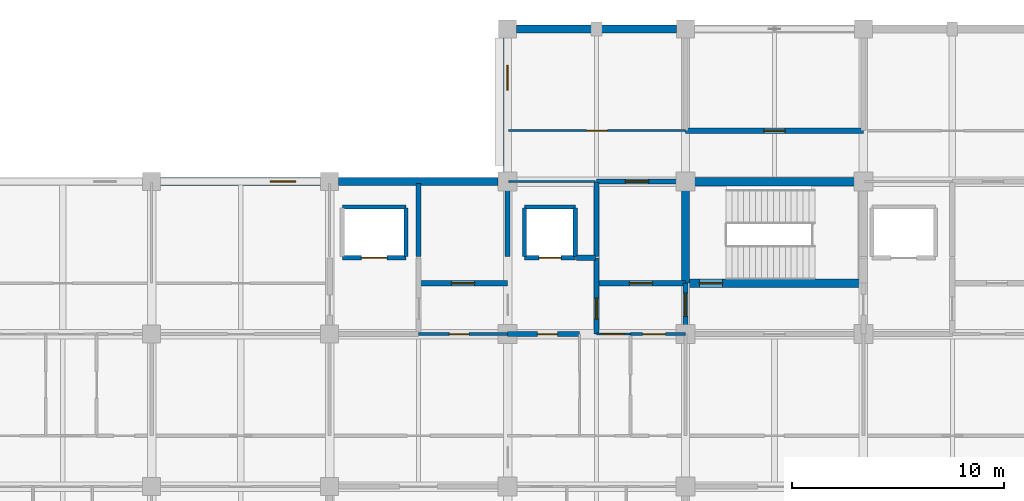
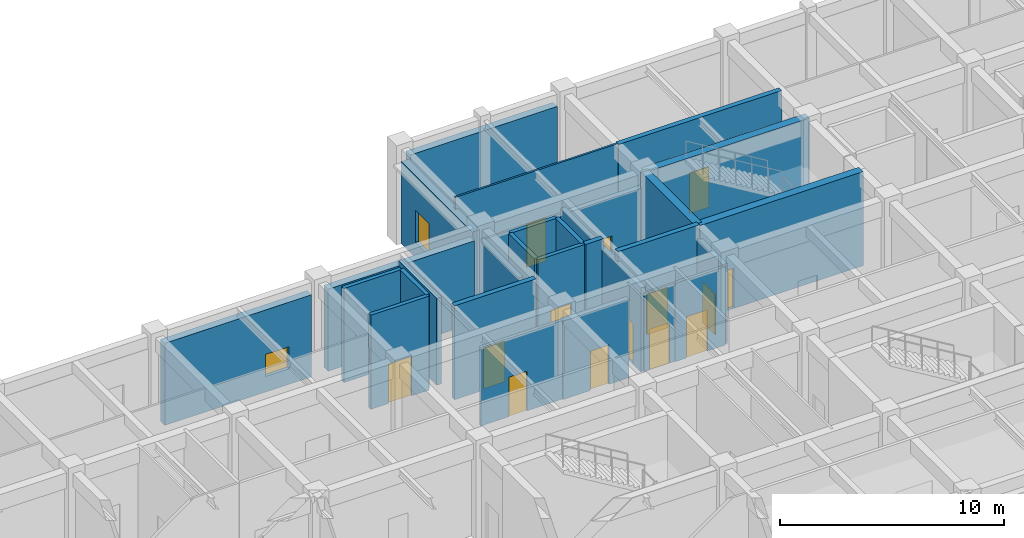
# One storey, part 41 of 58: 30 walls, 14 doors, 2 windows, 16 openings.
"""IFC4 building model written with IfcOpenShell, lengths in metres."""

from ifc_helpers import new_model, si_unit, direction, frame, frame_2d, origin, place, context, subcontext, project, spatial, rectangle, extrude, material, layer, layer_set, type_object, element, fill, save


model = new_model("IFC4")

# Units and contexts
model_context = context("Model", 3, precision=1e-05, world=origin(), true_north=direction((0.0, 1.0)))
body_context = subcontext(model_context, "Body", "Model", "MODEL_VIEW")
ifc_project = project(units=[si_unit("LENGTHUNIT", "METRE"), si_unit("AREAUNIT", "SQUARE_METRE"), si_unit("VOLUMEUNIT", "CUBIC_METRE"), si_unit("PLANEANGLEUNIT", "RADIAN"), si_unit("MASSUNIT", "GRAM", prefix="KILO")], contexts=[model_context])

# Site, building, storey
site_placement = place(None, origin())
site = spatial("IfcSite", under=ifc_project, at=site_placement, CompositionType="ELEMENT")
building_placement = place(site_placement, origin())
building = spatial("IfcBuilding", under=site, at=building_placement, Name="Chengyuan Square Courthouse", CompositionType="ELEMENT")
storey_placement = place(building_placement, frame((0.0, 0.0, 16.199951171875)))
storey = spatial("IfcBuildingStorey", under=building, at=storey_placement, Name="L04", CompositionType="ELEMENT", Elevation=16.199951171875)

# Wall, opening, window
ifc_material_1 = material(Name="Concrete C40", Category="concrete")
ifc_layer_1 = layer(ifc_material_1, 0.3798828125)
ifc_layer_set_1 = layer_set([ifc_layer_1], Name="Concrete C40")
wall_type_1 = type_object("IfcWallType", Name="WL-EW1", PredefinedType="STANDARD", material=ifc_layer_set_1)
wall_1_placement = place(storey_placement, frame((34.02001953125, 108.0, 0.0), z_axis=(0.0, 0.0, 1.0), x_axis=(1.0, 0.0, 0.0)))
wall_1 = element("IfcWall", 1, at=wall_1_placement, inside=storey, type_object=wall_type_1, Name="Exterior Wall WL-L04-E312", PredefinedType="STANDARD", context=body_context, shape_type="SweptSolid", body=[
    extrude(rectangle(XDim=7.56005859375, YDim=0.3798828125, at=frame_2d((3.780029296875, 0.0))), origin(), (0.0, 0.0, 1.0), 4.469970703125),
])
opening_1_placement = place(wall_1_placement, frame((5.179931640625, 0.0, 0.85009765625)))
opening_1 = element("IfcOpeningElement", 2, at=opening_1_placement, cuts=wall_1, Name="Opening WN-096", PredefinedType="OPENING", context=body_context, shape_type="SweptSolid", body=[
    extrude(rectangle(XDim=1.199951171875, YDim=1.199951171875, at=frame_2d((0.60009765625, 0.60009765625))), frame((0.0, 0.201904296875, 0.0), z_axis=(0.0, -1.0, 0.0), x_axis=(1.0, 0.0, 0.0)), (0.0, 0.0, 1.0), 0.40380859375),
])
ifc_material_2 = material(Name="Thermally Broken Aluminium Triple Low-E Window", Category="aluminium")
window_type_1 = type_object("IfcWindowType", Name="WT-13", PartitioningType="SINGLE_PANEL", PredefinedType="WINDOW", material=ifc_material_2)
window_1_placement = place(opening_1_placement, origin())
window_1 = element("IfcWindow", 3, at=window_1_placement, inside=storey, type_object=window_type_1, Name="Facade Window WN-096", OverallHeight=1.199951171875, OverallWidth=1.199951171875, PartitioningType="SINGLE_PANEL", PredefinedType="WINDOW", context=body_context, shape_type="SweptSolid", body=[
    extrude(rectangle(XDim=1.199951171875, YDim=1.199951171875, at=frame_2d((0.60009765625, 0.60009765625))), frame((0.0, 0.030029296875, 0.0), z_axis=(0.0, -1.0, 0.0), x_axis=(1.0, 0.0, 0.0)), (0.0, 0.0, 1.0), 0.06005859375),
])
fill(opening_1, window_1)

# Walls
wall_2_placement = place(storey_placement, frame((42.419921875, 108.0, 0.0), z_axis=(0.0, 0.0, 1.0), x_axis=(1.0, 0.0, 0.0)))
element("IfcWall", 4, at=wall_2_placement, inside=storey, type_object=wall_type_1, Name="Exterior Wall WL-L04-E313", PredefinedType="STANDARD", context=body_context, shape_type="SweptSolid", body=[
    extrude(rectangle(XDim=7.53515625, YDim=0.3798828125, at=frame_2d((3.767578125, 0.0))), origin(), (0.0, 0.0, 1.0), 4.469970703125),
])
wall_3_placement = place(storey_placement, frame((50.820068359375, 115.199951171875, 0.0), z_axis=(0.0, 0.0, 1.0), x_axis=(1.0, 0.0, 0.0)))
element("IfcWall", 5, at=wall_3_placement, inside=storey, type_object=wall_type_1, Name="Exterior Wall WL-L04-E314", PredefinedType="STANDARD", context=body_context, shape_type="SweptSolid", body=[
    extrude(rectangle(XDim=7.559814453125, YDim=0.3798828125, at=frame_2d((3.77978515625, 0.0))), origin(), (0.0, 0.0, 1.0), 4.469970703125),
])

# Wall, opening, window
wall_4_placement = place(storey_placement, frame((50.39990234375, 108.445068359375, 0.0), z_axis=(0.0, 0.0, 1.0), x_axis=(0.0, 1.0, 0.0)))
wall_4 = element("IfcWall", 6, at=wall_4_placement, inside=storey, type_object=wall_type_1, Name="Exterior Wall WL-L04-E315", PredefinedType="STANDARD", context=body_context, shape_type="SweptSolid", body=[
    extrude(rectangle(XDim=6.3349609375, YDim=0.3798828125, at=frame_2d((3.16748046875, 0.0))), origin(), (0.0, 0.0, 1.0), 4.469970703125),
])
opening_2_placement = place(wall_4_placement, frame((3.85498046875, 0.0, 0.85009765625)))
opening_2 = element("IfcOpeningElement", 7, at=opening_2_placement, cuts=wall_4, Name="Opening WN-097", PredefinedType="OPENING", context=body_context, shape_type="SweptSolid", body=[
    extrude(rectangle(XDim=1.199951171875, YDim=1.739990234375, at=frame_2d((0.60009765625, 0.8701171875))), frame((0.0, 0.201904296875, 0.0), z_axis=(0.0, -1.0, 0.0), x_axis=(1.0, 0.0, 0.0)), (0.0, 0.0, 1.0), 0.40380859375),
])
window_type_2 = type_object("IfcWindowType", Name="WT-16", PartitioningType="SINGLE_PANEL", PredefinedType="WINDOW", material=ifc_material_2)
window_2_placement = place(opening_2_placement, origin())
window_2 = element("IfcWindow", 8, at=window_2_placement, inside=storey, type_object=window_type_2, Name="Facade Window WN-097", OverallHeight=1.739990234375, OverallWidth=1.199951171875, PartitioningType="SINGLE_PANEL", PredefinedType="WINDOW", context=body_context, shape_type="SweptSolid", body=[
    extrude(rectangle(XDim=1.199951171875, YDim=1.739990234375, at=frame_2d((0.60009765625, 0.8701171875))), frame((0.0, 0.030029296875, 0.0), z_axis=(0.0, -1.0, 0.0), x_axis=(1.0, 0.0, 0.0)), (0.0, 0.0, 1.0), 0.06005859375),
])
fill(opening_2, window_2)

# Wall, opening, door
ifc_layer_2 = layer(ifc_material_1, 0.25)
ifc_layer_set_2 = layer_set([ifc_layer_2], Name="Concrete C40")
wall_type_2 = type_object("IfcWallType", Name="WL-FW1", PredefinedType="STANDARD", material=ifc_layer_set_2)
wall_5_placement = place(storey_placement, frame((50.39990234375, 100.800048828125, 0.0), z_axis=(0.0, 0.0, 1.0), x_axis=(1.0, 0.0, 0.0)))
wall_5 = element("IfcWall", 9, at=wall_5_placement, inside=storey, type_object=wall_type_2, Name="Interior Wall WL-L04-I1842", PredefinedType="STANDARD", context=body_context, shape_type="SweptSolid", body=[
    extrude(rectangle(XDim=3.400146484375, YDim=0.25, at=frame_2d((1.7001953125, 0.0))), origin(), (0.0, 0.0, 1.0), 4.27001953125),
])
opening_3_placement = place(wall_5_placement, frame((1.409912109375, 0.0, 0.0)))
opening_3 = element("IfcOpeningElement", 10, at=opening_3_placement, cuts=wall_5, Name="Opening DR-1699", PredefinedType="OPENING", context=body_context, shape_type="SweptSolid", body=[
    extrude(rectangle(XDim=0.949951171875, YDim=2.14990234375, at=frame_2d((0.47509765625, 1.074951171875))), frame((0.0, 0.136962890625, 0.0), z_axis=(0.0, -1.0, 0.0), x_axis=(1.0, 0.0, 0.0)), (0.0, 0.0, 1.0), 0.27392578125),
])
ifc_material_3 = material(Name="Steel Q235B Fire Door", Category="steel")
door_type_1 = type_object("IfcDoorType", Name="DT-12", OperationType="NOTDEFINED", PredefinedType="DOOR", material=ifc_material_3)
door_1_placement = place(opening_3_placement, origin())
door_1 = element("IfcDoor", 11, at=door_1_placement, inside=storey, type_object=door_type_1, Name="Interior Door DR-1699", OperationType="SINGLE_SWING_RIGHT", OverallHeight=2.14990234375, OverallWidth=0.949951171875, PredefinedType="DOOR", context=body_context, shape_type="SweptSolid", body=[
    extrude(rectangle(XDim=0.949951171875, YDim=2.14990234375, at=frame_2d((0.47509765625, 1.074951171875))), frame((0.0, 0.02490234375, 0.0), z_axis=(0.0, -1.0, 0.0), x_axis=(1.0, 0.0, 0.0)), (0.0, 0.0, 1.0), 0.050048828125),
])
fill(opening_3, door_1)

wall_6_placement = place(storey_placement, frame((46.199951171875, 103.199951171875, 0.0), z_axis=(0.0, 0.0, 1.0), x_axis=(1.0, 0.0, 0.0)))
wall_6 = element("IfcWall", 12, at=wall_6_placement, inside=storey, type_object=wall_type_2, Name="Interior Wall WL-L04-I1860", PredefinedType="STANDARD", context=body_context, shape_type="SweptSolid", body=[
    extrude(rectangle(XDim=4.199951171875, YDim=0.25, at=frame_2d((2.10009765625, 0.0))), origin(), (0.0, 0.0, 1.0), 5.1201171875),
])
opening_4_placement = place(wall_6_placement, frame((1.550048828125, 0.0, 0.0)))
opening_4 = element("IfcOpeningElement", 13, at=opening_4_placement, cuts=wall_6, Name="Opening DR-1679", PredefinedType="OPENING", context=body_context, shape_type="SweptSolid", body=[
    extrude(rectangle(XDim=1.10009765625, YDim=2.199951171875, at=frame_2d((0.550048828125, 1.10009765625))), frame((0.0, 0.136962890625, 0.0), z_axis=(0.0, -1.0, 0.0), x_axis=(1.0, 0.0, 0.0)), (0.0, 0.0, 1.0), 0.27392578125),
])
door_type_2 = type_object("IfcDoorType", Name="DT-10", OperationType="NOTDEFINED", PredefinedType="DOOR", material=ifc_material_3)
door_2_placement = place(opening_4_placement, origin())
door_2 = element("IfcDoor", 14, at=door_2_placement, inside=storey, type_object=door_type_2, Name="Interior Door DR-1679", OperationType="SINGLE_SWING_LEFT", OverallHeight=2.199951171875, OverallWidth=1.10009765625, PredefinedType="DOOR", context=body_context, shape_type="SweptSolid", body=[
    extrude(rectangle(XDim=1.10009765625, YDim=2.199951171875, at=frame_2d((0.550048828125, 1.10009765625))), frame((0.0, 0.02490234375, 0.0), z_axis=(0.0, -1.0, 0.0), x_axis=(1.0, 0.0, 0.0)), (0.0, 0.0, 1.0), 0.050048828125),
])
fill(opening_4, door_2)

wall_7_placement = place(storey_placement, frame((54.60009765625, 103.199951171875, 0.0), z_axis=(0.0, 0.0, 1.0), x_axis=(1.0, 0.0, 0.0)))
wall_7 = element("IfcWall", 15, at=wall_7_placement, inside=storey, type_object=wall_type_2, Name="Interior Wall WL-L04-I1861", PredefinedType="STANDARD", context=body_context, shape_type="SweptSolid", body=[
    extrude(rectangle(XDim=4.199951171875, YDim=0.25, at=frame_2d((2.10009765625, 0.0))), origin(), (0.0, 0.0, 1.0), 5.1201171875),
])
opening_5_placement = place(wall_7_placement, frame((1.550048828125, 0.0, 0.0)))
opening_5 = element("IfcOpeningElement", 16, at=opening_5_placement, cuts=wall_7, Name="Opening DR-1700", PredefinedType="OPENING", context=body_context, shape_type="SweptSolid", body=[
    extrude(rectangle(XDim=1.10009765625, YDim=2.199951171875, at=frame_2d((0.550048828125, 1.10009765625))), frame((0.0, 0.136962890625, 0.0), z_axis=(0.0, -1.0, 0.0), x_axis=(1.0, 0.0, 0.0)), (0.0, 0.0, 1.0), 0.27392578125),
])
door_3_placement = place(opening_5_placement, origin())
door_3 = element("IfcDoor", 17, at=door_3_placement, inside=storey, type_object=door_type_2, Name="Interior Door DR-1700", OperationType="SINGLE_SWING_LEFT", OverallHeight=2.199951171875, OverallWidth=1.10009765625, PredefinedType="DOOR", context=body_context, shape_type="SweptSolid", body=[
    extrude(rectangle(XDim=1.10009765625, YDim=2.199951171875, at=frame_2d((0.550048828125, 1.10009765625))), frame((0.0, 0.02490234375, 0.0), z_axis=(0.0, -1.0, 0.0), x_axis=(1.0, 0.0, 0.0)), (0.0, 0.0, 1.0), 0.050048828125),
])
fill(opening_5, door_3)

# Wall
wall_8_placement = place(storey_placement, frame((53.64990234375, 104.39990234375, 0.0), z_axis=(0.0, 0.0, 1.0), x_axis=(1.0, 0.0, 0.0)))
element("IfcWall", 18, at=wall_8_placement, inside=storey, type_object=wall_type_2, Name="Interior Wall WL-L04-I1871", PredefinedType="STANDARD", context=body_context, shape_type="SweptSolid", body=[
    extrude(rectangle(XDim=0.900146484375, YDim=0.25, at=frame_2d((0.4501953125, 0.0))), origin(), (0.0, 0.0, 1.0), 5.1201171875),
])

# Wall, opening, door
wall_9_placement = place(storey_placement, frame((54.60009765625, 108.0, 0.0), z_axis=(0.0, 0.0, 1.0), x_axis=(1.0, 0.0, 0.0)))
wall_9 = element("IfcWall", 19, at=wall_9_placement, inside=storey, type_object=wall_type_2, Name="Interior Wall WL-L04-I1893", PredefinedType="STANDARD", context=body_context, shape_type="SweptSolid", body=[
    extrude(rectangle(XDim=4.199951171875, YDim=0.25, at=frame_2d((2.10009765625, 0.0))), origin(), (0.0, 0.0, 1.0), 4.27001953125),
])
opening_6_placement = place(wall_9_placement, frame((1.364990234375, 0.0, 0.0)))
opening_6 = element("IfcOpeningElement", 20, at=opening_6_placement, cuts=wall_9, Name="Opening DR-1703", PredefinedType="OPENING", context=body_context, shape_type="SweptSolid", body=[
    extrude(rectangle(XDim=1.10009765625, YDim=2.199951171875, at=frame_2d((0.550048828125, 1.10009765625))), frame((0.0, 0.136962890625, 0.0), z_axis=(0.0, -1.0, 0.0), x_axis=(1.0, 0.0, 0.0)), (0.0, 0.0, 1.0), 0.27392578125),
])
door_4_placement = place(opening_6_placement, origin())
door_4 = element("IfcDoor", 21, at=door_4_placement, inside=storey, type_object=door_type_2, Name="Interior Door DR-1703", OperationType="SINGLE_SWING_RIGHT", OverallHeight=2.199951171875, OverallWidth=1.10009765625, PredefinedType="DOOR", context=body_context, shape_type="SweptSolid", body=[
    extrude(rectangle(XDim=1.10009765625, YDim=2.199951171875, at=frame_2d((0.550048828125, 1.10009765625))), frame((0.0, 0.02490234375, 0.0), z_axis=(0.0, -1.0, 0.0), x_axis=(1.0, 0.0, 0.0)), (0.0, 0.0, 1.0), 0.050048828125),
])
fill(opening_6, door_4)

wall_10_placement = place(storey_placement, frame((58.800048828125, 110.39990234375, 0.0), z_axis=(0.0, 0.0, 1.0), x_axis=(1.0, 0.0, 0.0)))
wall_10 = element("IfcWall", 22, at=wall_10_placement, inside=storey, type_object=wall_type_2, Name="Interior Wall WL-L04-I1906", PredefinedType="STANDARD", context=body_context, shape_type="SweptSolid", body=[
    extrude(rectangle(XDim=8.39990234375, YDim=0.25, at=frame_2d((4.199951171875, 0.0))), origin(), (0.0, 0.0, 1.0), 5.1201171875),
])
opening_7_placement = place(wall_10_placement, frame((3.699951171875, 0.0, 0.0)))
opening_7 = element("IfcOpeningElement", 23, at=opening_7_placement, cuts=wall_10, Name="Opening DR-1863", PredefinedType="OPENING", context=body_context, shape_type="SweptSolid", body=[
    extrude(rectangle(XDim=1.0, YDim=2.199951171875, at=frame_2d((0.5, 1.10009765625))), frame((0.0, 0.136962890625, 0.0), z_axis=(0.0, -1.0, 0.0), x_axis=(1.0, 0.0, 0.0)), (0.0, 0.0, 1.0), 0.27392578125),
])
door_type_3 = type_object("IfcDoorType", Name="DT-11", OperationType="NOTDEFINED", PredefinedType="DOOR", material=ifc_material_3)
door_5_placement = place(opening_7_placement, origin())
door_5 = element("IfcDoor", 24, at=door_5_placement, inside=storey, type_object=door_type_3, Name="Interior Door DR-1863", OperationType="SINGLE_SWING_RIGHT", OverallHeight=2.199951171875, OverallWidth=1.0, PredefinedType="DOOR", context=body_context, shape_type="SweptSolid", body=[
    extrude(rectangle(XDim=1.0, YDim=2.199951171875, at=frame_2d((0.5, 1.10009765625))), frame((0.0, 0.02490234375, 0.0), z_axis=(0.0, -1.0, 0.0), x_axis=(1.0, 0.0, 0.0)), (0.0, 0.0, 1.0), 0.050048828125),
])
fill(opening_7, door_5)

# Walls
wall_11_placement = place(storey_placement, frame((46.199951171875, 104.449951171875, 0.0), z_axis=(0.0, 0.0, 1.0), x_axis=(0.0, 1.0, 0.0)))
element("IfcWall", 25, at=wall_11_placement, inside=storey, type_object=wall_type_2, Name="Interior Wall WL-L04-I1954", PredefinedType="STANDARD", context=body_context, shape_type="SweptSolid", body=[
    extrude(rectangle(XDim=3.4599609375, YDim=0.25, at=frame_2d((1.72998046875, 0.0))), origin(), (0.0, 0.0, 1.0), 4.719970703125),
])
wall_12_placement = place(storey_placement, frame((50.39990234375, 104.449951171875, 0.0), z_axis=(0.0, 0.0, 1.0), x_axis=(0.0, 1.0, 0.0)))
element("IfcWall", 26, at=wall_12_placement, inside=storey, type_object=wall_type_2, Name="Interior Wall WL-L04-I1958", PredefinedType="STANDARD", context=body_context, shape_type="SweptSolid", body=[
    extrude(rectangle(XDim=3.4599609375, YDim=0.25, at=frame_2d((1.72998046875, 0.0))), origin(), (0.0, 0.0, 1.0), 4.3701171875),
])

# Wall, opening, door
wall_13_placement = place(storey_placement, frame((54.60009765625, 100.800048828125, 0.0), z_axis=(0.0, 0.0, 1.0), x_axis=(0.0, 1.0, 0.0)))
wall_13 = element("IfcWall", 27, at=wall_13_placement, inside=storey, type_object=wall_type_2, Name="Interior Wall WL-L04-I1963", PredefinedType="STANDARD", context=body_context, shape_type="SweptSolid", body=[
    extrude(rectangle(XDim=3.599853515625, YDim=0.25, at=frame_2d((1.7998046875, 0.0))), origin(), (0.0, 0.0, 1.0), 4.570068359375),
])
opening_8_placement = place(wall_13_placement, frame((0.699951171875, 0.0, 0.0)))
opening_8 = element("IfcOpeningElement", 28, at=opening_8_placement, cuts=wall_13, Name="Opening DR-1698", PredefinedType="OPENING", context=body_context, shape_type="SweptSolid", body=[
    extrude(rectangle(XDim=1.0, YDim=2.199951171875, at=frame_2d((0.5, 1.10009765625))), frame((0.0, 0.136962890625, 0.0), z_axis=(0.0, -1.0, 0.0), x_axis=(1.0, 0.0, 0.0)), (0.0, 0.0, 1.0), 0.27392578125),
])
door_6_placement = place(opening_8_placement, origin())
door_6 = element("IfcDoor", 29, at=door_6_placement, inside=storey, type_object=door_type_3, Name="Interior Door DR-1698", OperationType="SINGLE_SWING_LEFT", OverallHeight=2.199951171875, OverallWidth=1.0, PredefinedType="DOOR", context=body_context, shape_type="SweptSolid", body=[
    extrude(rectangle(XDim=1.0, YDim=2.199951171875, at=frame_2d((0.5, 1.10009765625))), frame((0.0, 0.02490234375, 0.0), z_axis=(0.0, -1.0, 0.0), x_axis=(1.0, 0.0, 0.0)), (0.0, 0.0, 1.0), 0.050048828125),
])
fill(opening_8, door_6)

# Wall
wall_14_placement = place(storey_placement, frame((54.60009765625, 104.449951171875, 0.0), z_axis=(0.0, 0.0, 1.0), x_axis=(0.0, 1.0, 0.0)))
element("IfcWall", 30, at=wall_14_placement, inside=storey, type_object=wall_type_2, Name="Interior Wall WL-L04-I1964", PredefinedType="STANDARD", context=body_context, shape_type="SweptSolid", body=[
    extrude(rectangle(XDim=3.5, YDim=0.25, at=frame_2d((1.75, 0.0))), origin(), (0.0, 0.0, 1.0), 4.570068359375),
])

# Wall, opening, door
wall_15_placement = place(storey_placement, frame((58.800048828125, 100.800048828125, 0.0), z_axis=(0.0, 0.0, 1.0), x_axis=(0.0, 1.0, 0.0)))
wall_15 = element("IfcWall", 31, at=wall_15_placement, inside=storey, type_object=wall_type_2, Name="Interior Wall WL-L04-I1970", PredefinedType="STANDARD", context=body_context, shape_type="SweptSolid", body=[
    extrude(rectangle(XDim=2.39990234375, YDim=0.25, at=frame_2d((1.199951171875, 0.0))), origin(), (0.0, 0.0, 1.0), 4.3701171875),
])
opening_9_placement = place(wall_15_placement, frame((0.8349609375, 0.0, 0.0)))
opening_9 = element("IfcOpeningElement", 32, at=opening_9_placement, cuts=wall_15, Name="Opening DR-1634", PredefinedType="OPENING", context=body_context, shape_type="SweptSolid", body=[
    extrude(rectangle(XDim=1.10009765625, YDim=2.199951171875, at=frame_2d((0.550048828125, 1.10009765625))), frame((0.0, 0.136962890625, 0.0), z_axis=(0.0, -1.0, 0.0), x_axis=(1.0, 0.0, 0.0)), (0.0, 0.0, 1.0), 0.27392578125),
])
door_7_placement = place(opening_9_placement, origin())
door_7 = element("IfcDoor", 33, at=door_7_placement, inside=storey, type_object=door_type_2, Name="Interior Door DR-1634", OperationType="SINGLE_SWING_RIGHT", OverallHeight=2.199951171875, OverallWidth=1.10009765625, PredefinedType="DOOR", context=body_context, shape_type="SweptSolid", body=[
    extrude(rectangle(XDim=1.10009765625, YDim=2.199951171875, at=frame_2d((0.550048828125, 1.10009765625))), frame((0.0, 0.02490234375, 0.0), z_axis=(0.0, -1.0, 0.0), x_axis=(1.0, 0.0, 0.0)), (0.0, 0.0, 1.0), 0.050048828125),
])
fill(opening_9, door_7)

ifc_material_4 = material(Name="Deliberation Room Sound-Insulated Partition")
ifc_layer_3 = layer(ifc_material_4, 0.14990234375)
ifc_layer_set_3 = layer_set([ifc_layer_3], Name="Deliberation Room Sound-Insulated Partition")
wall_type_3 = type_object("IfcWallType", Name="WL-PT3", PredefinedType="STANDARD", material=ifc_layer_set_3)
wall_16_placement = place(storey_placement, frame((46.199951171875, 100.800048828125, 0.0), z_axis=(0.0, 0.0, 1.0), x_axis=(1.0, 0.0, 0.0)))
wall_16 = element("IfcWall", 34, at=wall_16_placement, inside=storey, type_object=wall_type_3, Name="Interior Wall WL-L04-I1841", PredefinedType="STANDARD", context=body_context, shape_type="SweptSolid", body=[
    extrude(rectangle(XDim=4.199951171875, YDim=0.14990234375, at=frame_2d((2.10009765625, 0.0))), origin(), (0.0, 0.0, 1.0), 4.27001953125),
])
opening_10_placement = place(wall_16_placement, frame((1.455078125, 0.0, 0.0)))
opening_10 = element("IfcOpeningElement", 35, at=opening_10_placement, cuts=wall_16, Name="Opening DR-1681", PredefinedType="OPENING", context=body_context, shape_type="SweptSolid", body=[
    extrude(rectangle(XDim=0.919921875, YDim=2.14990234375, at=frame_2d((0.4599609375, 1.074951171875))), frame((0.0, 0.0869140625, 0.0), z_axis=(0.0, -1.0, 0.0), x_axis=(1.0, 0.0, 0.0)), (0.0, 0.0, 1.0), 0.173828125),
])
ifc_material_5 = material(Name="Acoustic Solid-Core Timber Door", Category="wood")
door_type_4 = type_object("IfcDoorType", Name="DT-29", OperationType="NOTDEFINED", PredefinedType="DOOR", material=ifc_material_5)
door_8_placement = place(opening_10_placement, origin())
door_8 = element("IfcDoor", 36, at=door_8_placement, inside=storey, type_object=door_type_4, Name="Interior Door DR-1681", OperationType="SINGLE_SWING_LEFT", OverallHeight=2.14990234375, OverallWidth=0.919921875, PredefinedType="DOOR", context=body_context, shape_type="SweptSolid", body=[
    extrude(rectangle(XDim=0.919921875, YDim=2.14990234375, at=frame_2d((0.4599609375, 1.074951171875))), frame((0.0, 0.02490234375, 0.0), z_axis=(0.0, -1.0, 0.0), x_axis=(1.0, 0.0, 0.0)), (0.0, 0.0, 1.0), 0.050048828125),
])
fill(opening_10, door_8)

wall_17_placement = place(storey_placement, frame((56.199951171875, 100.800048828125, 0.0), z_axis=(0.0, 0.0, 1.0), x_axis=(1.0, 0.0, 0.0)))
wall_17 = element("IfcWall", 37, at=wall_17_placement, inside=storey, type_object=wall_type_3, Name="Interior Wall WL-L04-I1844", PredefinedType="STANDARD", context=body_context, shape_type="SweptSolid", body=[
    extrude(rectangle(XDim=2.60009765625, YDim=0.14990234375, at=frame_2d((1.300048828125, 0.0))), origin(), (0.0, 0.0, 1.0), 4.27001953125),
])
opening_11_placement = place(wall_17_placement, frame((0.574951171875, 0.0, 0.0)))
opening_11 = element("IfcOpeningElement", 38, at=opening_11_placement, cuts=wall_17, Name="Opening DR-1702", PredefinedType="OPENING", context=body_context, shape_type="SweptSolid", body=[
    extrude(rectangle(XDim=1.080078125, YDim=2.25, at=frame_2d((0.5400390625, 1.125))), frame((0.0, 0.0869140625, 0.0), z_axis=(0.0, -1.0, 0.0), x_axis=(1.0, 0.0, 0.0)), (0.0, 0.0, 1.0), 0.173828125),
])
door_type_5 = type_object("IfcDoorType", Name="DT-33", OperationType="NOTDEFINED", PredefinedType="DOOR", material=ifc_material_5)
door_9_placement = place(opening_11_placement, origin())
door_9 = element("IfcDoor", 39, at=door_9_placement, inside=storey, type_object=door_type_5, Name="Interior Door DR-1702", OperationType="SINGLE_SWING_LEFT", OverallHeight=2.25, OverallWidth=1.080078125, PredefinedType="DOOR", context=body_context, shape_type="SweptSolid", body=[
    extrude(rectangle(XDim=1.080078125, YDim=2.25, at=frame_2d((0.5400390625, 1.125))), frame((0.0, 0.02490234375, 0.0), z_axis=(0.0, -1.0, 0.0), x_axis=(1.0, 0.0, 0.0)), (0.0, 0.0, 1.0), 0.050048828125),
])
fill(opening_11, door_9)

ifc_material_6 = material(Name="Gypsum Plasterboard Acoustic Stud Partition")
ifc_layer_4 = layer(ifc_material_6, 0.10009765625)
ifc_layer_set_4 = layer_set([ifc_layer_4], Name="Gypsum Plasterboard Acoustic Stud Partition")
wall_type_4 = type_object("IfcWallType", Name="WL-PT6", PredefinedType="STANDARD", material=ifc_layer_set_4)
wall_18_placement = place(storey_placement, frame((54.60009765625, 100.800048828125, 0.0), z_axis=(0.0, 0.0, 1.0), x_axis=(1.0, 0.0, 0.0)))
wall_18 = element("IfcWall", 40, at=wall_18_placement, inside=storey, type_object=wall_type_4, Name="Interior Wall WL-L04-I1843", PredefinedType="STANDARD", context=body_context, shape_type="SweptSolid", body=[
    extrude(rectangle(XDim=1.599853515625, YDim=0.10009765625, at=frame_2d((0.7998046875, 0.0))), origin(), (0.0, 0.0, 1.0), 4.27001953125),
])
opening_12_placement = place(wall_18_placement, frame((0.280029296875, 0.0, 0.0)))
opening_12 = element("IfcOpeningElement", 41, at=opening_12_placement, cuts=wall_18, Name="Opening DR-1701", PredefinedType="OPENING", context=body_context, shape_type="SweptSolid", body=[
    extrude(rectangle(XDim=1.0400390625, YDim=2.199951171875, at=frame_2d((0.52001953125, 1.10009765625))), frame((0.0, 0.06201171875, 0.0), z_axis=(0.0, -1.0, 0.0), x_axis=(1.0, 0.0, 0.0)), (0.0, 0.0, 1.0), 0.1240234375),
])
door_type_6 = type_object("IfcDoorType", Name="DT-32", OperationType="NOTDEFINED", PredefinedType="DOOR", material=ifc_material_5)
door_10_placement = place(opening_12_placement, origin())
door_10 = element("IfcDoor", 42, at=door_10_placement, inside=storey, type_object=door_type_6, Name="Interior Door DR-1701", OperationType="SINGLE_SWING_RIGHT", OverallHeight=2.199951171875, OverallWidth=1.0400390625, PredefinedType="DOOR", context=body_context, shape_type="SweptSolid", body=[
    extrude(rectangle(XDim=1.0400390625, YDim=2.199951171875, at=frame_2d((0.52001953125, 1.10009765625))), frame((0.0, 0.02490234375, 0.0), z_axis=(0.0, -1.0, 0.0), x_axis=(1.0, 0.0, 0.0)), (0.0, 0.0, 1.0), 0.050048828125),
])
fill(opening_12, door_10)

# Wall
wall_19_placement = place(storey_placement, frame((50.449951171875, 108.0, 0.0), z_axis=(0.0, 0.0, 1.0), x_axis=(1.0, 0.0, 0.0)))
element("IfcWall", 43, at=wall_19_placement, inside=storey, type_object=wall_type_4, Name="Interior Wall WL-L04-I1892", PredefinedType="STANDARD", context=body_context, shape_type="SweptSolid", body=[
    extrude(rectangle(XDim=4.10009765625, YDim=0.10009765625, at=frame_2d((2.050048828125, 0.0))), origin(), (0.0, 0.0, 1.0), 4.27001953125),
])

# Wall, opening, door
wall_20_placement = place(storey_placement, frame((50.43994140625, 110.39990234375, 0.0), z_axis=(0.0, 0.0, 1.0), x_axis=(1.0, 0.0, 0.0)))
wall_20 = element("IfcWall", 44, at=wall_20_placement, inside=storey, type_object=wall_type_4, Name="Interior Wall WL-L04-I1905", PredefinedType="STANDARD", context=body_context, shape_type="SweptSolid", body=[
    extrude(rectangle(XDim=8.360107421875, YDim=0.10009765625, at=frame_2d((4.18017578125, 0.0))), origin(), (0.0, 0.0, 1.0), 5.1201171875),
])
opening_13_placement = place(wall_20_placement, frame((3.68994140625, 0.0, 0.0)))
opening_13 = element("IfcOpeningElement", 45, at=opening_13_placement, cuts=wall_20, Name="Opening DR-1862", PredefinedType="OPENING", context=body_context, shape_type="SweptSolid", body=[
    extrude(rectangle(XDim=0.97998046875, YDim=2.35009765625, at=frame_2d((0.489990234375, 1.175048828125))), frame((0.0, 0.06201171875, 0.0), z_axis=(0.0, -1.0, 0.0), x_axis=(1.0, 0.0, 0.0)), (0.0, 0.0, 1.0), 0.1240234375),
])
door_type_7 = type_object("IfcDoorType", Name="DT-40", OperationType="NOTDEFINED", PredefinedType="DOOR", material=ifc_material_5)
door_11_placement = place(opening_13_placement, origin())
door_11 = element("IfcDoor", 46, at=door_11_placement, inside=storey, type_object=door_type_7, Name="Interior Door DR-1862", OperationType="SINGLE_SWING_LEFT", OverallHeight=2.35009765625, OverallWidth=0.97998046875, PredefinedType="DOOR", context=body_context, shape_type="SweptSolid", body=[
    extrude(rectangle(XDim=0.97998046875, YDim=2.35009765625, at=frame_2d((0.489990234375, 1.175048828125))), frame((0.0, 0.02490234375, 0.0), z_axis=(0.0, -1.0, 0.0), x_axis=(1.0, 0.0, 0.0)), (0.0, 0.0, 1.0), 0.050048828125),
])
fill(opening_13, door_11)

ifc_material_7 = material(Name="Reinforced Masonry Shaft Enclosure", Category="masonry")
ifc_layer_5 = layer(ifc_material_7, 0.199951171875)
ifc_layer_set_5 = layer_set([ifc_layer_5], Name="Reinforced Masonry Shaft Enclosure")
wall_type_5 = type_object("IfcWallType", Name="WL-SH1", PredefinedType="STANDARD", material=ifc_layer_set_5)
wall_21_placement = place(storey_placement, frame((42.60009765625, 104.39990234375, 0.0), z_axis=(0.0, 0.0, 1.0), x_axis=(1.0, 0.0, 0.0)))
wall_21 = element("IfcWall", 47, at=wall_21_placement, inside=storey, type_object=wall_type_5, Name="Interior Wall WL-L04-I1869", PredefinedType="STANDARD", context=body_context, shape_type="SweptSolid", body=[
    extrude(rectangle(XDim=3.0, YDim=0.199951171875, at=frame_2d((1.5, 0.0))), origin(), (0.0, 0.0, 1.0), 5.1201171875),
])
opening_14_placement = place(wall_21_placement, frame((0.89990234375, 0.0, 0.0)))
opening_14 = element("IfcOpeningElement", 48, at=opening_14_placement, cuts=wall_21, Name="Opening LD-071", PredefinedType="OPENING", context=body_context, shape_type="SweptSolid", body=[
    extrude(rectangle(XDim=1.199951171875, YDim=2.14990234375, at=frame_2d((0.60009765625, 1.074951171875))), frame((0.0, 0.112060546875, 0.0), z_axis=(0.0, -1.0, 0.0), x_axis=(1.0, 0.0, 0.0)), (0.0, 0.0, 1.0), 0.223876953125),
])
ifc_material_8 = material(Name="Stainless Steel S30408 Lift Landing Door", Category="steel")
door_type_8 = type_object("IfcDoorType", Name="DT-05", OperationType="DOUBLE_DOOR_SLIDING", PredefinedType="DOOR", material=ifc_material_8)
door_12_placement = place(opening_14_placement, origin())
door_12 = element("IfcDoor", 49, at=door_12_placement, inside=storey, type_object=door_type_8, Name="Lift Landing Door LF-F3 L04", OperationType="DOUBLE_DOOR_SLIDING", OverallHeight=2.14990234375, OverallWidth=1.199951171875, PredefinedType="DOOR", context=body_context, shape_type="SweptSolid", body=[
    extrude(rectangle(XDim=1.199951171875, YDim=2.14990234375, at=frame_2d((0.60009765625, 1.074951171875))), frame((0.0, 0.02490234375, 0.0), z_axis=(0.0, -1.0, 0.0), x_axis=(1.0, 0.0, 0.0)), (0.0, 0.0, 1.0), 0.050048828125),
])
fill(opening_14, door_12)

wall_22_placement = place(storey_placement, frame((51.199951171875, 104.39990234375, 0.0), z_axis=(0.0, 0.0, 1.0), x_axis=(1.0, 0.0, 0.0)))
wall_22 = element("IfcWall", 50, at=wall_22_placement, inside=storey, type_object=wall_type_5, Name="Interior Wall WL-L04-I1870", PredefinedType="STANDARD", context=body_context, shape_type="SweptSolid", body=[
    extrude(rectangle(XDim=2.400146484375, YDim=0.199951171875, at=frame_2d((1.2001953125, 0.0))), origin(), (0.0, 0.0, 1.0), 5.1201171875),
])
opening_15_placement = place(wall_22_placement, frame((0.675048828125, 0.0, 0.0)))
opening_15 = element("IfcOpeningElement", 51, at=opening_15_placement, cuts=wall_22, Name="Opening LD-083", PredefinedType="OPENING", context=body_context, shape_type="SweptSolid", body=[
    extrude(rectangle(XDim=1.050048828125, YDim=2.14990234375, at=frame_2d((0.52490234375, 1.074951171875))), frame((0.0, 0.112060546875, 0.0), z_axis=(0.0, -1.0, 0.0), x_axis=(1.0, 0.0, 0.0)), (0.0, 0.0, 1.0), 0.223876953125),
])
door_type_9 = type_object("IfcDoorType", Name="DT-08", OperationType="DOUBLE_DOOR_SLIDING", PredefinedType="DOOR", material=ifc_material_8)
door_13_placement = place(opening_15_placement, origin())
door_13 = element("IfcDoor", 52, at=door_13_placement, inside=storey, type_object=door_type_9, Name="Lift Landing Door LF-C1 L04", OperationType="DOUBLE_DOOR_SLIDING", OverallHeight=2.14990234375, OverallWidth=1.050048828125, PredefinedType="DOOR", context=body_context, shape_type="SweptSolid", body=[
    extrude(rectangle(XDim=1.050048828125, YDim=2.14990234375, at=frame_2d((0.52490234375, 1.074951171875))), frame((0.0, 0.02490234375, 0.0), z_axis=(0.0, -1.0, 0.0), x_axis=(1.0, 0.0, 0.0)), (0.0, 0.0, 1.0), 0.050048828125),
])
fill(opening_15, door_13)

# Walls
wall_23_placement = place(storey_placement, frame((42.60009765625, 106.800048828125, 0.0), z_axis=(0.0, 0.0, 1.0), x_axis=(1.0, 0.0, 0.0)))
element("IfcWall", 53, at=wall_23_placement, inside=storey, type_object=wall_type_5, Name="Interior Wall WL-L04-I1882", PredefinedType="STANDARD", context=body_context, shape_type="SweptSolid", body=[
    extrude(rectangle(XDim=3.0, YDim=0.199951171875, at=frame_2d((1.5, 0.0))), origin(), (0.0, 0.0, 1.0), 5.1201171875),
])
wall_24_placement = place(storey_placement, frame((51.199951171875, 106.800048828125, 0.0), z_axis=(0.0, 0.0, 1.0), x_axis=(1.0, 0.0, 0.0)))
element("IfcWall", 54, at=wall_24_placement, inside=storey, type_object=wall_type_5, Name="Interior Wall WL-L04-I1883", PredefinedType="STANDARD", context=body_context, shape_type="SweptSolid", body=[
    extrude(rectangle(XDim=2.400146484375, YDim=0.199951171875, at=frame_2d((1.2001953125, 0.0))), origin(), (0.0, 0.0, 1.0), 5.1201171875),
])
for number, where, z_axis, x_axis, name in (
    (55, (45.60009765625, 104.449951171875, 0.0), (0.0, 0.0, 1.0), (0.0, 1.0, 0.0), "Interior Wall WL-L04-I1952"),
    (56, (51.199951171875, 104.449951171875, 0.0), (0.0, 0.0, 1.0), (0.0, 1.0, 0.0), "Interior Wall WL-L04-I1959"),
    (57, (53.60009765625, 104.449951171875, 0.0), (0.0, 0.0, 1.0), (0.0, 1.0, 0.0), "Interior Wall WL-L04-I1961"),
):
    element("IfcWall", number, at=place(storey_placement, frame(where, z_axis=z_axis, x_axis=x_axis)), inside=storey, type_object=wall_type_5, Name=name, PredefinedType="STANDARD", context=body_context, shape_type="SweptSolid", body=[
        extrude(rectangle(XDim=2.300048828125, YDim=0.199951171875, at=frame_2d((1.14990234375, 0.0))), origin(), (0.0, 0.0, 1.0), 5.1201171875),
    ])

# Wall, opening, door
ifc_material_9 = material(Name="Concrete C50", Category="concrete")
ifc_layer_6 = layer(ifc_material_9, 0.39990234375)
ifc_layer_set_6 = layer_set([ifc_layer_6], Name="Concrete C50")
wall_type_6 = type_object("IfcWallType", Name="WL-SW1", PredefinedType="SHEAR", material=ifc_layer_set_6)
wall_25_placement = place(storey_placement, frame((58.800048828125, 103.199951171875, 0.0), z_axis=(0.0, 0.0, 1.0), x_axis=(1.0, 0.0, 0.0)))
wall_25 = element("IfcWall", 58, at=wall_25_placement, inside=storey, type_object=wall_type_6, Name="Interior Wall WL-L04-I1862", PredefinedType="SHEAR", context=body_context, shape_type="SweptSolid", body=[
    extrude(rectangle(XDim=8.39990234375, YDim=0.39990234375, at=frame_2d((4.199951171875, 0.0))), origin(), (0.0, 0.0, 1.0), 5.1201171875),
])
opening_16_placement = place(wall_25_placement, frame((0.64990234375, 0.0, 0.0)))
opening_16 = element("IfcOpeningElement", 59, at=opening_16_placement, cuts=wall_25, Name="Opening DR-1623", PredefinedType="OPENING", context=body_context, shape_type="SweptSolid", body=[
    extrude(rectangle(XDim=1.10009765625, YDim=2.199951171875, at=frame_2d((0.550048828125, 1.10009765625))), frame((0.0, 0.2119140625, 0.0), z_axis=(0.0, -1.0, 0.0), x_axis=(1.0, 0.0, 0.0)), (0.0, 0.0, 1.0), 0.423828125),
])
door_14_placement = place(opening_16_placement, origin())
door_14 = element("IfcDoor", 60, at=door_14_placement, inside=storey, type_object=door_type_2, Name="Smoke-Proof Stairwell Fire Door ST-1 DR-1623", OperationType="SINGLE_SWING_LEFT", OverallHeight=2.199951171875, OverallWidth=1.10009765625, PredefinedType="DOOR", context=body_context, shape_type="SweptSolid", body=[
    extrude(rectangle(XDim=1.10009765625, YDim=2.199951171875, at=frame_2d((0.550048828125, 1.10009765625))), frame((0.0, 0.02490234375, 0.0), z_axis=(0.0, -1.0, 0.0), x_axis=(1.0, 0.0, 0.0)), (0.0, 0.0, 1.0), 0.050048828125),
])
fill(opening_16, door_14)

# Walls
wall_26_placement = place(storey_placement, frame((58.800048828125, 108.0, 0.0), z_axis=(0.0, 0.0, 1.0), x_axis=(1.0, 0.0, 0.0)))
element("IfcWall", 61, at=wall_26_placement, inside=storey, type_object=wall_type_6, Name="Interior Wall WL-L04-I1894", PredefinedType="SHEAR", context=body_context, shape_type="SweptSolid", body=[
    extrude(rectangle(XDim=8.39990234375, YDim=0.39990234375, at=frame_2d((4.199951171875, 0.0))), origin(), (0.0, 0.0, 1.0), 5.1201171875),
])
wall_27_placement = place(storey_placement, frame((58.800048828125, 103.199951171875, 0.0), z_axis=(0.0, 0.0, 1.0), x_axis=(0.0, 1.0, 0.0)))
element("IfcWall", 62, at=wall_27_placement, inside=storey, type_object=wall_type_6, Name="Interior Wall WL-L04-I1971", PredefinedType="SHEAR", context=body_context, shape_type="SweptSolid", body=[
    extrude(rectangle(XDim=4.800048828125, YDim=0.39990234375, at=frame_2d((2.39990234375, 0.0))), origin(), (0.0, 0.0, 1.0), 5.1201171875),
])

save(model, "model.ifc")
